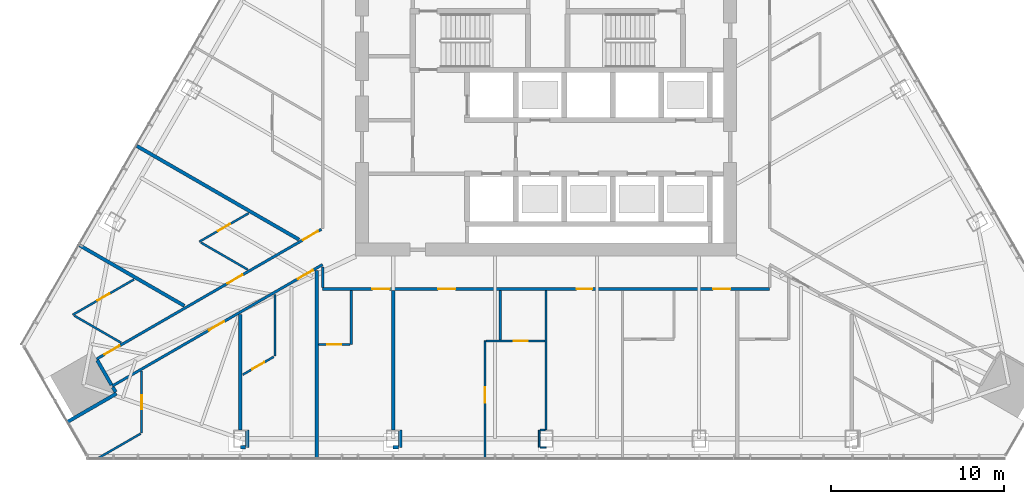
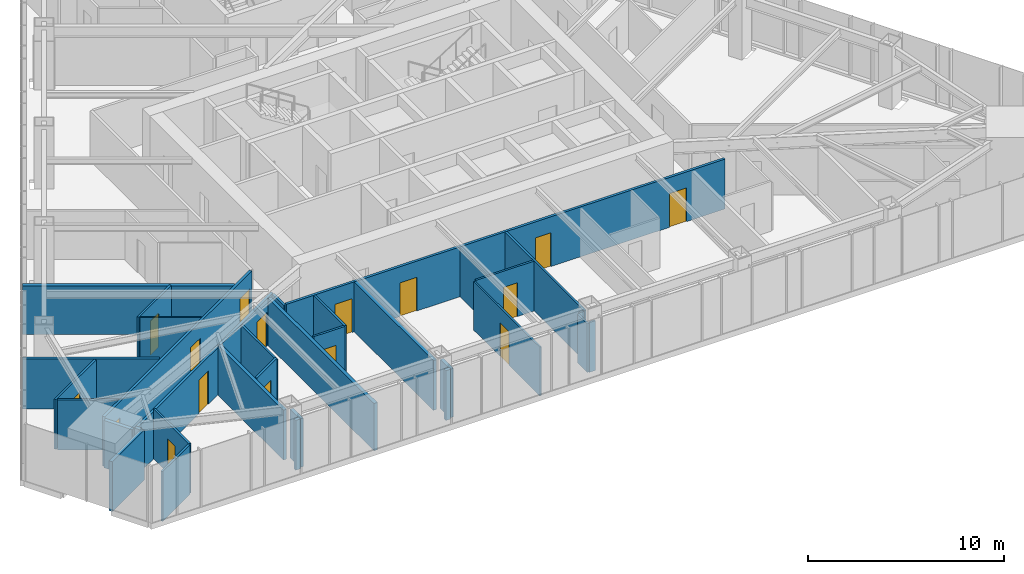
# One storey, part 13 of 19: 33 walls, 16 doors, 16 openings.
"""IFC4 building model written with IfcOpenShell, lengths in metres."""

from ifc_helpers import new_model, si_unit, direction, frame, frame_2d, origin, place, context, subcontext, project, spatial, rectangle, extrude, material, layer, layer_set, type_object, element, fill, save


model = new_model("IFC4")

# Units and contexts
model_context = context("Model", 3, precision=1e-05, world=origin(), true_north=direction((0.0, 1.0)))
body_context = subcontext(model_context, "Body", "Model", "MODEL_VIEW")
ifc_project = project(units=[si_unit("LENGTHUNIT", "METRE"), si_unit("AREAUNIT", "SQUARE_METRE"), si_unit("VOLUMEUNIT", "CUBIC_METRE"), si_unit("PLANEANGLEUNIT", "RADIAN"), si_unit("MASSUNIT", "GRAM", prefix="KILO")], contexts=[model_context])

# Site, building, storey
site_placement = place(None, origin())
site = spatial("IfcSite", under=ifc_project, at=site_placement, CompositionType="ELEMENT")
building_placement = place(site_placement, origin())
building = spatial("IfcBuilding", under=site, at=building_placement, Name="Firuza Gate Tower and Library", CompositionType="ELEMENT")
storey_placement = place(building_placement, frame((0.0, 0.0, 179.199951171875)))
storey = spatial("IfcBuildingStorey", under=building, at=storey_placement, Name="L41", CompositionType="ELEMENT", Elevation=179.199951171875)

# Wall, openings, doors
ifc_material_1 = material(Name="Gypsum board partition")
ifc_layer_1 = layer(ifc_material_1, 0.14990234375)
ifc_layer_set_1 = layer_set([ifc_layer_1], Name="Corridor wall 150 double board on steel studs")
wall_type_1 = type_object("IfcWallType", Name="Corridor wall 150 double board on steel studs", PredefinedType="PARTITIONING", material=ifc_layer_set_1)
wall_1_placement = place(storey_placement, frame((87.89990234375, 65.10009765625, 0.0), z_axis=(0.0, 0.0, 1.0), x_axis=(-1.0, 0.0, 0.0)))
wall_1 = element("IfcWall", 1, at=wall_1_placement, inside=storey, type_object=wall_type_1, Name="f:L41:w009", PredefinedType="PARTITIONING", context=body_context, shape_type="SweptSolid", body=[
    extrude(rectangle(XDim=25.7998046875, YDim=0.14990234375, at=frame_2d((12.89990234375, 0.0))), origin(), (0.0, 0.0, 1.0), 3.10009765625),
])
opening_1_placement = place(wall_1_placement, frame((2.26416015625, 0.0, 0.0)))
opening_1 = element("IfcOpeningElement", 2, at=opening_1_placement, cuts=wall_1, Name="Opening L41-05", PredefinedType="OPENING", context=body_context, shape_type="SweptSolid", body=[
    extrude(rectangle(XDim=1.0, YDim=2.10009765625, at=frame_2d((0.5, 1.050048828125))), frame((0.0, 0.0849609375, 0.0), z_axis=(0.0, -1.0, 0.0), x_axis=(1.0, 0.0, 0.0)), (0.0, 0.0, 1.0), 0.169921875),
])
opening_2_placement = place(wall_1_placement, frame((10.244140625, 0.0, 0.0)))
opening_2 = element("IfcOpeningElement", 3, at=opening_2_placement, cuts=wall_1, Name="Opening L41-06", PredefinedType="OPENING", context=body_context, shape_type="SweptSolid", body=[
    extrude(rectangle(XDim=0.89990234375, YDim=2.10009765625, at=frame_2d((0.449951171875, 1.050048828125))), frame((0.0, 0.0849609375, 0.0), z_axis=(0.0, -1.0, 0.0), x_axis=(1.0, 0.0, 0.0)), (0.0, 0.0, 1.0), 0.169921875),
])
opening_3_placement = place(wall_1_placement, frame((18.135498046875, 0.0, 0.0)))
opening_3 = element("IfcOpeningElement", 4, at=opening_3_placement, cuts=wall_1, Name="Opening L41-07", PredefinedType="OPENING", context=body_context, shape_type="SweptSolid", body=[
    extrude(rectangle(XDim=1.0, YDim=2.10009765625, at=frame_2d((0.5, 1.050048828125))), frame((0.0, 0.0849609375, 0.0), z_axis=(0.0, -1.0, 0.0), x_axis=(1.0, 0.0, 0.0)), (0.0, 0.0, 1.0), 0.169921875),
])
opening_4_placement = place(wall_1_placement, frame((21.935791015625, 0.0, 0.0)))
opening_4 = element("IfcOpeningElement", 5, at=opening_4_placement, cuts=wall_1, Name="Opening L41-08", PredefinedType="OPENING", context=body_context, shape_type="SweptSolid", body=[
    extrude(rectangle(XDim=1.0, YDim=2.10009765625, at=frame_2d((0.5, 1.050048828125))), frame((0.0, 0.0849609375, 0.0), z_axis=(0.0, -1.0, 0.0), x_axis=(1.0, 0.0, 0.0)), (0.0, 0.0, 1.0), 0.169921875),
])
ifc_material_2 = material(Name="Steel door and timber leaf", Category="steel")
door_type_1 = type_object("IfcDoorType", Name="Fire door 1000 x 2100 steel frame, timber leaf", OperationType="NOTDEFINED", PredefinedType="DOOR", material=ifc_material_2)
door_1_placement = place(opening_1_placement, origin())
door_1 = element("IfcDoor", 6, at=door_1_placement, inside=storey, type_object=door_type_1, Name="f:L41:d005", OperationType="SINGLE_SWING_RIGHT", OverallHeight=2.10009765625, OverallWidth=1.0, PredefinedType="DOOR", context=body_context, shape_type="SweptSolid", body=[
    extrude(rectangle(XDim=1.0, YDim=2.10009765625, at=frame_2d((0.5, 1.050048828125))), frame((0.0, 0.02490234375, 0.0), z_axis=(0.0, -1.0, 0.0), x_axis=(1.0, 0.0, 0.0)), (0.0, 0.0, 1.0), 0.050048828125),
])
fill(opening_1, door_1)
door_2_placement = place(opening_3_placement, origin())
door_2 = element("IfcDoor", 7, at=door_2_placement, inside=storey, type_object=door_type_1, Name="f:L41:d007", OperationType="SINGLE_SWING_RIGHT", OverallHeight=2.10009765625, OverallWidth=1.0, PredefinedType="DOOR", context=body_context, shape_type="SweptSolid", body=[
    extrude(rectangle(XDim=1.0, YDim=2.10009765625, at=frame_2d((0.5, 1.050048828125))), frame((0.0, 0.02490234375, 0.0), z_axis=(0.0, -1.0, 0.0), x_axis=(1.0, 0.0, 0.0)), (0.0, 0.0, 1.0), 0.050048828125),
])
fill(opening_3, door_2)
door_3_placement = place(opening_4_placement, origin())
door_3 = element("IfcDoor", 8, at=door_3_placement, inside=storey, type_object=door_type_1, Name="f:L41:d008", OperationType="SINGLE_SWING_RIGHT", OverallHeight=2.10009765625, OverallWidth=1.0, PredefinedType="DOOR", context=body_context, shape_type="SweptSolid", body=[
    extrude(rectangle(XDim=1.0, YDim=2.10009765625, at=frame_2d((0.5, 1.050048828125))), frame((0.0, 0.02490234375, 0.0), z_axis=(0.0, -1.0, 0.0), x_axis=(1.0, 0.0, 0.0)), (0.0, 0.0, 1.0), 0.050048828125),
])
fill(opening_4, door_3)
ifc_material_3 = material(Name="Steel door and timber leaf", Category="steel")
door_type_2 = type_object("IfcDoorType", Name="Fire door 900 x 2100 steel frame, timber leaf", OperationType="NOTDEFINED", PredefinedType="DOOR", material=ifc_material_3)
door_4_placement = place(opening_2_placement, origin())
door_4 = element("IfcDoor", 9, at=door_4_placement, inside=storey, type_object=door_type_2, Name="f:L41:d006", OperationType="SINGLE_SWING_LEFT", OverallHeight=2.10009765625, OverallWidth=0.89990234375, PredefinedType="DOOR", context=body_context, shape_type="SweptSolid", body=[
    extrude(rectangle(XDim=0.89990234375, YDim=2.10009765625, at=frame_2d((0.449951171875, 1.050048828125))), frame((0.0, 0.02490234375, 0.0), z_axis=(0.0, -1.0, 0.0), x_axis=(1.0, 0.0, 0.0)), (0.0, 0.0, 1.0), 0.050048828125),
])
fill(opening_2, door_4)

wall_2_placement = place(storey_placement, frame((62.099853515625, 66.512939453125, 0.0), z_axis=(0.0, 0.0, 1.0), x_axis=(-0.866025334814, -0.500000119461, 0.0)))
wall_2 = element("IfcWall", 10, at=wall_2_placement, inside=storey, type_object=wall_type_1, Name="f:L41:w025", PredefinedType="PARTITIONING", context=body_context, shape_type="SweptSolid", body=[
    extrude(rectangle(XDim=14.02978515625, YDim=0.14990234375, at=frame_2d((7.014892578125, 0.0))), origin(), (0.0, 0.0, 1.0), 2.947021484375),
])
opening_5_placement = place(wall_2_placement, frame((0.656005859375, 0.0, 0.0)))
opening_5 = element("IfcOpeningElement", 11, at=opening_5_placement, cuts=wall_2, Name="Opening L41-15", PredefinedType="OPENING", context=body_context, shape_type="SweptSolid", body=[
    extrude(rectangle(XDim=1.0, YDim=2.10009765625, at=frame_2d((0.5, 1.050048828125))), frame((0.0, 0.0849609375, 0.0), z_axis=(0.0, -1.0, 0.0), x_axis=(1.0, 0.0, 0.0)), (0.0, 0.0, 1.0), 0.169921875),
])
opening_6_placement = place(wall_2_placement, frame((6.581787109375, 0.0, 0.0)))
opening_6 = element("IfcOpeningElement", 12, at=opening_6_placement, cuts=wall_2, Name="Opening L41-16", PredefinedType="OPENING", context=body_context, shape_type="SweptSolid", body=[
    extrude(rectangle(XDim=1.0, YDim=2.10009765625, at=frame_2d((0.5, 1.050048828125))), frame((0.0, 0.0849609375, 0.0), z_axis=(0.0, -1.0, 0.0), x_axis=(1.0, 0.0, 0.0)), (0.0, 0.0, 1.0), 0.169921875),
])
door_5_placement = place(opening_5_placement, origin())
door_5 = element("IfcDoor", 13, at=door_5_placement, inside=storey, type_object=door_type_1, Name="f:L41:d015", OperationType="SINGLE_SWING_RIGHT", OverallHeight=2.10009765625, OverallWidth=1.0, PredefinedType="DOOR", context=body_context, shape_type="SweptSolid", body=[
    extrude(rectangle(XDim=1.0, YDim=2.10009765625, at=frame_2d((0.5, 1.050048828125))), frame((0.0, 0.02490234375, 0.0), z_axis=(0.0, -1.0, 0.0), x_axis=(1.0, 0.0, 0.0)), (0.0, 0.0, 1.0), 0.050048828125),
])
fill(opening_5, door_5)
door_6_placement = place(opening_6_placement, origin())
door_6 = element("IfcDoor", 14, at=door_6_placement, inside=storey, type_object=door_type_1, Name="f:L41:d016", OperationType="SINGLE_SWING_RIGHT", OverallHeight=2.10009765625, OverallWidth=1.0, PredefinedType="DOOR", context=body_context, shape_type="SweptSolid", body=[
    extrude(rectangle(XDim=1.0, YDim=2.10009765625, at=frame_2d((0.5, 1.050048828125))), frame((0.0, 0.02490234375, 0.0), z_axis=(0.0, -1.0, 0.0), x_axis=(1.0, 0.0, 0.0)), (0.0, 0.0, 1.0), 0.050048828125),
])
fill(opening_6, door_6)

wall_3_placement = place(storey_placement, frame((49.050048828125, 61.05712890625, 0.0), z_axis=(0.0, 0.0, 1.0), x_axis=(0.866027379905, 0.499996577244, 0.0)))
wall_3 = element("IfcWall", 15, at=wall_3_placement, inside=storey, type_object=wall_type_1, Name="f:L41:w028", PredefinedType="PARTITIONING", context=body_context, shape_type="SweptSolid", body=[
    extrude(rectangle(XDim=14.98193359375, YDim=0.14990234375, at=frame_2d((7.490966796875, 0.0))), origin(), (0.0, 0.0, 1.0), 3.10009765625),
])
opening_7_placement = place(wall_3_placement, frame((0.532470703125, 0.0, 0.0)))
opening_7 = element("IfcOpeningElement", 16, at=opening_7_placement, cuts=wall_3, Name="Opening L41-17", PredefinedType="OPENING", context=body_context, shape_type="SweptSolid", body=[
    extrude(rectangle(XDim=1.0, YDim=2.10009765625, at=frame_2d((0.5, 1.050048828125))), frame((0.0, 0.0849609375, 0.0), z_axis=(0.0, -1.0, 0.0), x_axis=(1.0, 0.0, 0.0)), (0.0, 0.0, 1.0), 0.169921875),
])
opening_8_placement = place(wall_3_placement, frame((8.724853515625, 0.0, 0.0)))
opening_8 = element("IfcOpeningElement", 17, at=opening_8_placement, cuts=wall_3, Name="Opening L41-18", PredefinedType="OPENING", context=body_context, shape_type="SweptSolid", body=[
    extrude(rectangle(XDim=1.0, YDim=2.10009765625, at=frame_2d((0.5, 1.050048828125))), frame((0.0, 0.0849609375, 0.0), z_axis=(0.0, -1.0, 0.0), x_axis=(1.0, 0.0, 0.0)), (0.0, 0.0, 1.0), 0.169921875),
])
opening_9_placement = place(wall_3_placement, frame((13.760498046875, 0.0, 0.0)))
opening_9 = element("IfcOpeningElement", 18, at=opening_9_placement, cuts=wall_3, Name="Opening L41-19", PredefinedType="OPENING", context=body_context, shape_type="SweptSolid", body=[
    extrude(rectangle(XDim=1.0, YDim=2.10009765625, at=frame_2d((0.5, 1.050048828125))), frame((0.0, 0.0849609375, 0.0), z_axis=(0.0, -1.0, 0.0), x_axis=(1.0, 0.0, 0.0)), (0.0, 0.0, 1.0), 0.169921875),
])
door_7_placement = place(opening_7_placement, origin())
door_7 = element("IfcDoor", 19, at=door_7_placement, inside=storey, type_object=door_type_1, Name="f:L41:d017", OperationType="SINGLE_SWING_LEFT", OverallHeight=2.10009765625, OverallWidth=1.0, PredefinedType="DOOR", context=body_context, shape_type="SweptSolid", body=[
    extrude(rectangle(XDim=1.0, YDim=2.10009765625, at=frame_2d((0.5, 1.050048828125))), frame((0.0, 0.02490234375, 0.0), z_axis=(0.0, -1.0, 0.0), x_axis=(1.0, 0.0, 0.0)), (0.0, 0.0, 1.0), 0.050048828125),
])
fill(opening_7, door_7)
door_8_placement = place(opening_8_placement, origin())
door_8 = element("IfcDoor", 20, at=door_8_placement, inside=storey, type_object=door_type_1, Name="f:L41:d018", OperationType="SINGLE_SWING_LEFT", OverallHeight=2.10009765625, OverallWidth=1.0, PredefinedType="DOOR", context=body_context, shape_type="SweptSolid", body=[
    extrude(rectangle(XDim=1.0, YDim=2.10009765625, at=frame_2d((0.5, 1.050048828125))), frame((0.0, 0.02490234375, 0.0), z_axis=(0.0, -1.0, 0.0), x_axis=(1.0, 0.0, 0.0)), (0.0, 0.0, 1.0), 0.050048828125),
])
fill(opening_8, door_8)
door_9_placement = place(opening_9_placement, origin())
door_9 = element("IfcDoor", 21, at=door_9_placement, inside=storey, type_object=door_type_1, Name="f:L41:d019", OperationType="SINGLE_SWING_LEFT", OverallHeight=2.10009765625, OverallWidth=1.0, PredefinedType="DOOR", context=body_context, shape_type="SweptSolid", body=[
    extrude(rectangle(XDim=1.0, YDim=2.10009765625, at=frame_2d((0.5, 1.050048828125))), frame((0.0, 0.02490234375, 0.0), z_axis=(0.0, -1.0, 0.0), x_axis=(1.0, 0.0, 0.0)), (0.0, 0.0, 1.0), 0.050048828125),
])
fill(opening_9, door_9)

# Walls
wall_4_placement = place(storey_placement, frame((62.10009765625, 65.175048828125, 0.0), z_axis=(0.0, 0.0, 1.0), x_axis=(0.0, 1.0, 0.0)))
element("IfcWall", 22, at=wall_4_placement, inside=storey, type_object=wall_type_1, Name="f:L41:w073", PredefinedType="PARTITIONING", context=body_context, shape_type="SweptSolid", body=[
    extrude(rectangle(XDim=1.201416015625, YDim=0.14990234375, at=frame_2d((0.6005859375, 0.0))), origin(), (0.0, 0.0, 1.0), 2.947021484375),
])
ifc_material_4 = material(Name="Gypsum board partition")
ifc_layer_2 = layer(ifc_material_4, 0.199951171875)
ifc_layer_set_2 = layer_set([ifc_layer_2], Name="Demising wall 200 acoustic double stud")
wall_type_2 = type_object("IfcWallType", Name="Demising wall 200 acoustic double stud", PredefinedType="PARTITIONING", material=ifc_layer_set_2)
for number, where, z_axis, x_axis, name in (
    (23, (57.352294921875, 55.9599609375, 0.0), (0.0, 0.0, 1.0), (1.0, 0.0, 0.0), "f:L41:w000"),
    (24, (66.176025390625, 55.9599609375, 0.0), (0.0, 0.0, 1.0), (1.0, 0.0, 0.0), "f:L41:w001"),
):
    element("IfcWall", number, at=place(storey_placement, frame(where, z_axis=z_axis, x_axis=x_axis)), inside=storey, type_object=wall_type_2, Name=name, PredefinedType="PARTITIONING", context=body_context, shape_type="SweptSolid", body=[
        extrude(rectangle(XDim=0.2900390625, YDim=0.199951171875, at=frame_2d((0.14501953125, 0.0))), origin(), (0.0, 0.0, 1.0), 3.10009765625),
    ])
wall_5_placement = place(storey_placement, frame((47.37646484375, 57.43505859375, 0.0), z_axis=(0.0, 0.0, 1.0), x_axis=(0.866035906198, 0.499981808845, 0.0)))
element("IfcWall", 25, at=wall_5_placement, inside=storey, type_object=wall_type_2, Name="f:L41:w024", PredefinedType="PARTITIONING", context=body_context, shape_type="SweptSolid", body=[
    extrude(rectangle(XDim=3.25927734375, YDim=0.199951171875, at=frame_2d((1.629638671875, 0.0))), origin(), (0.0, 0.0, 1.0), 3.10009765625),
])
wall_6_placement = place(storey_placement, frame((66.575927734375, 55.959716796875, 0.0), z_axis=(0.0, 0.0, 1.0), x_axis=(0.0, 1.0, 0.0)))
element("IfcWall", 26, at=wall_6_placement, inside=storey, type_object=wall_type_2, Name="f:L41:w069", PredefinedType="PARTITIONING", context=body_context, shape_type="SweptSolid", body=[
    extrude(rectangle(XDim=1.0, YDim=0.199951171875, at=frame_2d((0.5, 0.0))), origin(), (0.0, 0.0, 1.0), 3.02197265625),
])
wall_7_placement = place(storey_placement, frame((66.176025390625, 56.959716796875, 0.0), z_axis=(0.0, 0.0, 1.0), x_axis=(0.0, 1.0, 0.0)))
element("IfcWall", 27, at=wall_7_placement, inside=storey, type_object=wall_type_2, Name="f:L41:w071", PredefinedType="PARTITIONING", context=body_context, shape_type="SweptSolid", body=[
    extrude(rectangle(XDim=8.065185546875, YDim=0.199951171875, at=frame_2d((4.03271484375, 0.0))), origin(), (0.0, 0.0, 1.0), 3.10009765625),
])
wall_8_placement = place(storey_placement, frame((61.763916015625, 55.359619140625, 0.0), z_axis=(0.0, 0.0, 1.0), x_axis=(0.0, 1.0, 0.0)))
element("IfcWall", 28, at=wall_8_placement, inside=storey, type_object=wall_type_2, Name="f:L41:w075", PredefinedType="PARTITIONING", context=body_context, shape_type="SweptSolid", body=[
    extrude(rectangle(XDim=10.812744140625, YDim=0.199951171875, at=frame_2d((5.40625, 0.0))), origin(), (0.0, 0.0, 1.0), 2.947021484375),
])
wall_9_placement = place(storey_placement, frame((57.751953125, 55.959716796875, 0.0), z_axis=(0.0, 0.0, 1.0), x_axis=(0.0, 1.0, 0.0)))
element("IfcWall", 29, at=wall_9_placement, inside=storey, type_object=wall_type_2, Name="f:L41:w078", PredefinedType="PARTITIONING", context=body_context, shape_type="SweptSolid", body=[
    extrude(rectangle(XDim=1.0, YDim=0.199951171875, at=frame_2d((0.5, 0.0))), origin(), (0.0, 0.0, 1.0), 3.02197265625),
])
wall_10_placement = place(storey_placement, frame((57.35205078125, 56.959716796875, 0.0), z_axis=(0.0, 0.0, 1.0), x_axis=(0.0, 1.0, 0.0)))
element("IfcWall", 30, at=wall_10_placement, inside=storey, type_object=wall_type_2, Name="f:L41:w079", PredefinedType="PARTITIONING", context=body_context, shape_type="SweptSolid", body=[
    extrude(rectangle(XDim=6.66552734375, YDim=0.199951171875, at=frame_2d((3.332763671875, 0.0))), origin(), (0.0, 0.0, 1.0), 3.10009765625),
])
wall_11_placement = place(storey_placement, frame((50.149658203125, 59.152099609375, 0.0), z_axis=(0.0, 0.0, 1.0), x_axis=(-0.499939380126, 0.866060399857, 0.0)))
element("IfcWall", 31, at=wall_11_placement, inside=storey, type_object=wall_type_2, Name="f:L41:w082", PredefinedType="PARTITIONING", context=body_context, shape_type="SweptSolid", body=[
    extrude(rectangle(XDim=0.32470703125, YDim=0.199951171875, at=frame_2d((0.162353515625, 0.0))), origin(), (0.0, 0.0, 1.0), 3.10009765625),
])
wall_12_placement = place(storey_placement, frame((60.7373046875, 67.951171875, 0.0), z_axis=(0.0, 0.0, 1.0), x_axis=(-0.866033683985, 0.499985657998, 0.0)))
element("IfcWall", 32, at=wall_12_placement, inside=storey, type_object=wall_type_2, Name="f:L41:w096", PredefinedType="PARTITIONING", context=body_context, shape_type="SweptSolid", body=[
    extrude(rectangle(XDim=10.812744140625, YDim=0.199951171875, at=frame_2d((5.40625, 0.0))), origin(), (0.0, 0.0, 1.0), 3.02197265625),
])
wall_13_placement = place(storey_placement, frame((54.119140625, 64.130126953125, 0.0), z_axis=(0.0, 0.0, 1.0), x_axis=(-0.866016957496, 0.500014629116, 0.0)))
element("IfcWall", 33, at=wall_13_placement, inside=storey, type_object=wall_type_2, Name="f:L41:w098", PredefinedType="PARTITIONING", context=body_context, shape_type="SweptSolid", body=[
    extrude(rectangle(XDim=6.991943359375, YDim=0.199951171875, at=frame_2d((3.49609375, 0.0))), origin(), (0.0, 0.0, 1.0), 3.10009765625),
])
wall_14_placement = place(storey_placement, frame((49.912353515625, 59.563232421875, 0.0), z_axis=(0.0, 0.0, 1.0), x_axis=(-0.500055614084, 0.865993292597, 0.0)))
element("IfcWall", 34, at=wall_14_placement, inside=storey, type_object=wall_type_2, Name="f:L41:w103", PredefinedType="PARTITIONING", context=body_context, shape_type="SweptSolid", body=[
    extrude(rectangle(XDim=1.649169921875, YDim=0.199951171875, at=frame_2d((0.82470703125, 0.0))), origin(), (0.0, 0.0, 1.0), 2.947021484375),
])
ifc_material_5 = material(Name="Gypsum board partition")
ifc_layer_3 = layer(ifc_material_5, 0.10009765625)
ifc_layer_set_3 = layer_set([ifc_layer_3], Name="Partition 100 gypsum board on steel studs")
wall_type_3 = type_object("IfcWallType", Name="Partition 100 gypsum board on steel studs", PredefinedType="PARTITIONING", material=ifc_layer_set_3)
wall_15_placement = place(storey_placement, frame((74.650390625, 55.9599609375, 0.0), z_axis=(0.0, 0.0, 1.0), x_axis=(1.0, 0.0, 0.0)))
element("IfcWall", 35, at=wall_15_placement, inside=storey, type_object=wall_type_3, Name="f:L41:w002", PredefinedType="PARTITIONING", context=body_context, shape_type="SweptSolid", body=[
    extrude(rectangle(XDim=0.34912109375, YDim=0.10009765625, at=frame_2d((0.174560546875, 0.0))), origin(), (0.0, 0.0, 1.0), 3.10009765625),
])
wall_16_placement = place(storey_placement, frame((74.650390625, 56.9599609375, 0.0), z_axis=(0.0, 0.0, 1.0), x_axis=(1.0, 0.0, 0.0)))
element("IfcWall", 36, at=wall_16_placement, inside=storey, type_object=wall_type_3, Name="f:L41:w004", PredefinedType="PARTITIONING", context=body_context, shape_type="SweptSolid", body=[
    extrude(rectangle(XDim=0.2890625, YDim=0.10009765625, at=frame_2d((0.14453125, 0.0))), origin(), (0.0, 0.0, 1.0), 3.10009765625),
])
wall_17_placement = place(storey_placement, frame((74.60009765625, 55.960205078125, 0.0), z_axis=(0.0, 0.0, 1.0), x_axis=(0.0, 1.0, 0.0)))
element("IfcWall", 37, at=wall_17_placement, inside=storey, type_object=wall_type_3, Name="f:L41:w060", PredefinedType="PARTITIONING", context=body_context, shape_type="SweptSolid", body=[
    extrude(rectangle(XDim=0.9990234375, YDim=0.10009765625, at=frame_2d((0.49951171875, 0.0))), origin(), (0.0, 0.0, 1.0), 3.02197265625),
])

# Wall, opening, door
wall_18_placement = place(storey_placement, frame((71.469970703125, 62.10009765625, 0.0), z_axis=(0.0, 0.0, 1.0), x_axis=(0.0, -1.0, 0.0)))
wall_18 = element("IfcWall", 38, at=wall_18_placement, inside=storey, type_object=wall_type_3, Name="f:L41:w065", PredefinedType="PARTITIONING", context=body_context, shape_type="SweptSolid", body=[
    extrude(rectangle(XDim=6.740478515625, YDim=0.10009765625, at=frame_2d((3.3701171875, 0.0))), origin(), (0.0, 0.0, 1.0), 3.02197265625),
])
opening_10_placement = place(wall_18_placement, frame((2.670166015625, 0.0, 0.0)))
opening_10 = element("IfcOpeningElement", 39, at=opening_10_placement, cuts=wall_18, Name="Opening L41-32", PredefinedType="OPENING", context=body_context, shape_type="SweptSolid", body=[
    extrude(rectangle(XDim=0.89990234375, YDim=2.10009765625, at=frame_2d((0.449951171875, 1.050048828125))), frame((0.0, 0.06005859375, 0.0), z_axis=(0.0, -1.0, 0.0), x_axis=(1.0, 0.0, 0.0)), (0.0, 0.0, 1.0), 0.1201171875),
])
ifc_material_6 = material(Name="Timber door", Category="wood")
door_type_3 = type_object("IfcDoorType", Name="Door 900 x 2100 timber leaf", OperationType="NOTDEFINED", PredefinedType="DOOR", material=ifc_material_6)
door_10_placement = place(opening_10_placement, origin())
door_10 = element("IfcDoor", 40, at=door_10_placement, inside=storey, type_object=door_type_3, Name="f:L41:d032", OperationType="SINGLE_SWING_LEFT", OverallHeight=2.10009765625, OverallWidth=0.89990234375, PredefinedType="DOOR", context=body_context, shape_type="SweptSolid", body=[
    extrude(rectangle(XDim=0.89990234375, YDim=2.10009765625, at=frame_2d((0.449951171875, 1.050048828125))), frame((0.0, 0.02490234375, 0.0), z_axis=(0.0, -1.0, 0.0), x_axis=(1.0, 0.0, 0.0)), (0.0, 0.0, 1.0), 0.050048828125),
])
fill(opening_10, door_10)

ifc_material_7 = material(Name="Gypsum board partition")
ifc_layer_4 = layer(ifc_material_7, 0.1201171875)
ifc_layer_set_4 = layer_set([ifc_layer_4], Name="Wet-area partition 120 moisture-resistant board")
wall_type_4 = type_object("IfcWallType", Name="Wet-area partition 120 moisture-resistant board", PredefinedType="PARTITIONING", material=ifc_layer_set_4)
wall_19_placement = place(storey_placement, frame((61.8642578125, 61.89990234375, 0.0), z_axis=(0.0, 0.0, 1.0), x_axis=(1.0, 0.0, 0.0)))
wall_19 = element("IfcWall", 41, at=wall_19_placement, inside=storey, type_object=wall_type_4, Name="f:L41:w005", PredefinedType="PARTITIONING", context=body_context, shape_type="SweptSolid", body=[
    extrude(rectangle(XDim=1.825439453125, YDim=0.1201171875, at=frame_2d((0.91259765625, 0.0))), origin(), (0.0, 0.0, 1.0), 3.10009765625),
])
opening_11_placement = place(wall_19_placement, frame((0.5126953125, 0.0, 0.0)))
opening_11 = element("IfcOpeningElement", 42, at=opening_11_placement, cuts=wall_19, Name="Opening L41-01", PredefinedType="OPENING", context=body_context, shape_type="SweptSolid", body=[
    extrude(rectangle(XDim=0.800048828125, YDim=2.10009765625, at=frame_2d((0.39990234375, 1.050048828125))), frame((0.0, 0.070068359375, 0.0), z_axis=(0.0, -1.0, 0.0), x_axis=(1.0, 0.0, 0.0)), (0.0, 0.0, 1.0), 0.14013671875),
])
ifc_material_8 = material(Name="Timber door", Category="wood")
door_type_4 = type_object("IfcDoorType", Name="Door 800 x 2100 timber leaf", OperationType="NOTDEFINED", PredefinedType="DOOR", material=ifc_material_8)
door_11_placement = place(opening_11_placement, origin())
door_11 = element("IfcDoor", 43, at=door_11_placement, inside=storey, type_object=door_type_4, Name="f:L41:d001", OperationType="SINGLE_SWING_RIGHT", OverallHeight=2.10009765625, OverallWidth=0.800048828125, PredefinedType="DOOR", context=body_context, shape_type="SweptSolid", body=[
    extrude(rectangle(XDim=0.800048828125, YDim=2.10009765625, at=frame_2d((0.39990234375, 1.050048828125))), frame((0.0, 0.02490234375, 0.0), z_axis=(0.0, -1.0, 0.0), x_axis=(1.0, 0.0, 0.0)), (0.0, 0.0, 1.0), 0.050048828125),
])
fill(opening_11, door_11)

wall_20_placement = place(storey_placement, frame((71.5205078125, 62.10009765625, 0.0), z_axis=(0.0, 0.0, 1.0), x_axis=(1.0, 0.0, 0.0)))
wall_20 = element("IfcWall", 44, at=wall_20_placement, inside=storey, type_object=wall_type_4, Name="f:L41:w006", PredefinedType="PARTITIONING", context=body_context, shape_type="SweptSolid", body=[
    extrude(rectangle(XDim=3.41943359375, YDim=0.1201171875, at=frame_2d((1.709716796875, 0.0))), origin(), (0.0, 0.0, 1.0), 3.10009765625),
])
opening_12_placement = place(wall_20_placement, frame((1.6259765625, 0.0, 0.0)))
opening_12 = element("IfcOpeningElement", 45, at=opening_12_placement, cuts=wall_20, Name="Opening L41-02", PredefinedType="OPENING", context=body_context, shape_type="SweptSolid", body=[
    extrude(rectangle(XDim=0.800048828125, YDim=2.10009765625, at=frame_2d((0.39990234375, 1.050048828125))), frame((0.0, 0.070068359375, 0.0), z_axis=(0.0, -1.0, 0.0), x_axis=(1.0, 0.0, 0.0)), (0.0, 0.0, 1.0), 0.14013671875),
])
door_12_placement = place(opening_12_placement, origin())
door_12 = element("IfcDoor", 46, at=door_12_placement, inside=storey, type_object=door_type_4, Name="f:L41:d002", OperationType="SINGLE_SWING_LEFT", OverallHeight=2.10009765625, OverallWidth=0.800048828125, PredefinedType="DOOR", context=body_context, shape_type="SweptSolid", body=[
    extrude(rectangle(XDim=0.800048828125, YDim=2.10009765625, at=frame_2d((0.39990234375, 1.050048828125))), frame((0.0, 0.02490234375, 0.0), z_axis=(0.0, -1.0, 0.0), x_axis=(1.0, 0.0, 0.0)), (0.0, 0.0, 1.0), 0.050048828125),
])
fill(opening_12, door_12)

# Wall
wall_21_placement = place(storey_placement, frame((49.181884765625, 55.359619140625, 0.0), z_axis=(0.0, 0.0, 1.0), x_axis=(0.86601027972, 0.500026194733, 0.0)))
element("IfcWall", 47, at=wall_21_placement, inside=storey, type_object=wall_type_4, Name="f:L41:w021", PredefinedType="PARTITIONING", context=body_context, shape_type="SweptSolid", body=[
    extrude(rectangle(XDim=2.782958984375, YDim=0.1201171875, at=frame_2d((1.3916015625, 0.0))), origin(), (0.0, 0.0, 1.0), 3.10009765625),
])

# Wall, opening, door
wall_22_placement = place(storey_placement, frame((57.48681640625, 60.154541015625, 0.0), z_axis=(0.0, 0.0, 1.0), x_axis=(0.866018462269, 0.500012022864, 0.0)))
wall_22 = element("IfcWall", 48, at=wall_22_placement, inside=storey, type_object=wall_type_4, Name="f:L41:w022", PredefinedType="PARTITIONING", context=body_context, shape_type="SweptSolid", body=[
    extrude(rectangle(XDim=2.06787109375, YDim=0.1201171875, at=frame_2d((1.033935546875, 0.0))), origin(), (0.0, 0.0, 1.0), 3.10009765625),
])
opening_13_placement = place(wall_22_placement, frame((0.6337890625, 0.0, 0.0)))
opening_13 = element("IfcOpeningElement", 49, at=opening_13_placement, cuts=wall_22, Name="Opening L41-13", PredefinedType="OPENING", context=body_context, shape_type="SweptSolid", body=[
    extrude(rectangle(XDim=0.800048828125, YDim=2.10009765625, at=frame_2d((0.39990234375, 1.050048828125))), frame((0.0, 0.070068359375, 0.0), z_axis=(0.0, -1.0, 0.0), x_axis=(1.0, 0.0, 0.0)), (0.0, 0.0, 1.0), 0.14013671875),
])
door_13_placement = place(opening_13_placement, origin())
door_13 = element("IfcDoor", 50, at=door_13_placement, inside=storey, type_object=door_type_4, Name="f:L41:d013", OperationType="SINGLE_SWING_RIGHT", OverallHeight=2.10009765625, OverallWidth=0.800048828125, PredefinedType="DOOR", context=body_context, shape_type="SweptSolid", body=[
    extrude(rectangle(XDim=0.800048828125, YDim=2.10009765625, at=frame_2d((0.39990234375, 1.050048828125))), frame((0.0, 0.02490234375, 0.0), z_axis=(0.0, -1.0, 0.0), x_axis=(1.0, 0.0, 0.0)), (0.0, 0.0, 1.0), 0.050048828125),
])
fill(opening_13, door_13)

wall_23_placement = place(storey_placement, frame((51.211669921875, 65.65380859375, 0.0), z_axis=(0.0, 0.0, 1.0), x_axis=(-0.866038243659, -0.499977760025, 0.0)))
wall_23 = element("IfcWall", 51, at=wall_23_placement, inside=storey, type_object=wall_type_4, Name="f:L41:w030", PredefinedType="PARTITIONING", context=body_context, shape_type="SweptSolid", body=[
    extrude(rectangle(XDim=4.083740234375, YDim=0.1201171875, at=frame_2d((2.0419921875, 0.0))), origin(), (0.0, 0.0, 1.0), 3.10009765625),
])
opening_14_placement = place(wall_23_placement, frame((1.641845703125, 0.0, 0.0)))
opening_14 = element("IfcOpeningElement", 52, at=opening_14_placement, cuts=wall_23, Name="Opening L41-20", PredefinedType="OPENING", context=body_context, shape_type="SweptSolid", body=[
    extrude(rectangle(XDim=0.800048828125, YDim=2.10009765625, at=frame_2d((0.39990234375, 1.050048828125))), frame((0.0, 0.070068359375, 0.0), z_axis=(0.0, -1.0, 0.0), x_axis=(1.0, 0.0, 0.0)), (0.0, 0.0, 1.0), 0.14013671875),
])
door_14_placement = place(opening_14_placement, origin())
door_14 = element("IfcDoor", 53, at=door_14_placement, inside=storey, type_object=door_type_4, Name="f:L41:d020", OperationType="SINGLE_SWING_LEFT", OverallHeight=2.10009765625, OverallWidth=0.800048828125, PredefinedType="DOOR", context=body_context, shape_type="SweptSolid", body=[
    extrude(rectangle(XDim=0.800048828125, YDim=2.10009765625, at=frame_2d((0.39990234375, 1.050048828125))), frame((0.0, 0.02490234375, 0.0), z_axis=(0.0, -1.0, 0.0), x_axis=(1.0, 0.0, 0.0)), (0.0, 0.0, 1.0), 0.050048828125),
])
fill(opening_14, door_14)

wall_24_placement = place(storey_placement, frame((57.82958984375, 69.474609375, 0.0), z_axis=(0.0, 0.0, 1.0), x_axis=(-0.866038236991, -0.499977771575, 0.0)))
wall_24 = element("IfcWall", 54, at=wall_24_placement, inside=storey, type_object=wall_type_4, Name="f:L41:w031", PredefinedType="PARTITIONING", context=body_context, shape_type="SweptSolid", body=[
    extrude(rectangle(XDim=3.283447265625, YDim=0.1201171875, at=frame_2d((1.6416015625, 0.0))), origin(), (0.0, 0.0, 1.0), 3.10009765625),
])
opening_15_placement = place(wall_24_placement, frame((1.24169921875, 0.0, 0.0)))
opening_15 = element("IfcOpeningElement", 55, at=opening_15_placement, cuts=wall_24, Name="Opening L41-21", PredefinedType="OPENING", context=body_context, shape_type="SweptSolid", body=[
    extrude(rectangle(XDim=0.800048828125, YDim=2.10009765625, at=frame_2d((0.39990234375, 1.050048828125))), frame((0.0, 0.070068359375, 0.0), z_axis=(0.0, -1.0, 0.0), x_axis=(1.0, 0.0, 0.0)), (0.0, 0.0, 1.0), 0.14013671875),
])
door_15_placement = place(opening_15_placement, origin())
door_15 = element("IfcDoor", 56, at=door_15_placement, inside=storey, type_object=door_type_4, Name="f:L41:d021", OperationType="SINGLE_SWING_LEFT", OverallHeight=2.10009765625, OverallWidth=0.800048828125, PredefinedType="DOOR", context=body_context, shape_type="SweptSolid", body=[
    extrude(rectangle(XDim=0.800048828125, YDim=2.10009765625, at=frame_2d((0.39990234375, 1.050048828125))), frame((0.0, 0.02490234375, 0.0), z_axis=(0.0, -1.0, 0.0), x_axis=(1.0, 0.0, 0.0)), (0.0, 0.0, 1.0), 0.050048828125),
])
fill(opening_15, door_15)

# Walls
wall_25_placement = place(storey_placement, frame((75.0, 56.960205078125, 0.0), z_axis=(0.0, 0.0, 1.0), x_axis=(0.0, 1.0, 0.0)))
element("IfcWall", 57, at=wall_25_placement, inside=storey, type_object=wall_type_4, Name="f:L41:w059", PredefinedType="PARTITIONING", context=body_context, shape_type="SweptSolid", body=[
    extrude(rectangle(XDim=8.064697265625, YDim=0.1201171875, at=frame_2d((4.0322265625, 0.0))), origin(), (0.0, 0.0, 1.0), 3.10009765625),
])
wall_26_placement = place(storey_placement, frame((72.35302734375, 62.159912109375, 0.0), z_axis=(0.0, 0.0, 1.0), x_axis=(0.0, 1.0, 0.0)))
element("IfcWall", 58, at=wall_26_placement, inside=storey, type_object=wall_type_4, Name="f:L41:w063", PredefinedType="PARTITIONING", context=body_context, shape_type="SweptSolid", body=[
    extrude(rectangle(XDim=2.864990234375, YDim=0.1201171875, at=frame_2d((1.4326171875, 0.0))), origin(), (0.0, 0.0, 1.0), 3.10009765625),
])
wall_27_placement = place(storey_placement, frame((63.75, 61.89990234375, 0.0), z_axis=(0.0, 0.0, 1.0), x_axis=(0.0, 1.0, 0.0)))
element("IfcWall", 59, at=wall_27_placement, inside=storey, type_object=wall_type_4, Name="f:L41:w072", PredefinedType="PARTITIONING", context=body_context, shape_type="SweptSolid", body=[
    extrude(rectangle(XDim=3.125, YDim=0.1201171875, at=frame_2d((1.5625, 0.0))), origin(), (0.0, 0.0, 1.0), 3.10009765625),
])
wall_28_placement = place(storey_placement, frame((59.337890625, 61.22314453125, 0.0), z_axis=(0.0, 0.0, 1.0), x_axis=(0.0, 1.0, 0.0)))
element("IfcWall", 60, at=wall_28_placement, inside=storey, type_object=wall_type_4, Name="f:L41:w076", PredefinedType="PARTITIONING", context=body_context, shape_type="SweptSolid", body=[
    extrude(rectangle(XDim=3.568359375, YDim=0.1201171875, at=frame_2d((1.7841796875, 0.0))), origin(), (0.0, 0.0, 1.0), 2.947021484375),
])

# Wall, opening, door
wall_29_placement = place(storey_placement, frame((51.652099609375, 56.785888671875, 0.0), z_axis=(0.0, 0.0, 1.0), x_axis=(0.0, 1.0, 0.0)))
wall_29 = element("IfcWall", 61, at=wall_29_placement, inside=storey, type_object=wall_type_4, Name="f:L41:w080", PredefinedType="PARTITIONING", context=body_context, shape_type="SweptSolid", body=[
    extrude(rectangle(XDim=3.568359375, YDim=0.1201171875, at=frame_2d((1.7841796875, 0.0))), origin(), (0.0, 0.0, 1.0), 3.10009765625),
])
opening_16_placement = place(wall_29_placement, frame((1.38427734375, 0.0, 0.0)))
opening_16 = element("IfcOpeningElement", 62, at=opening_16_placement, cuts=wall_29, Name="Opening L41-37", PredefinedType="OPENING", context=body_context, shape_type="SweptSolid", body=[
    extrude(rectangle(XDim=0.800048828125, YDim=2.10009765625, at=frame_2d((0.39990234375, 1.050048828125))), frame((0.0, 0.070068359375, 0.0), z_axis=(0.0, -1.0, 0.0), x_axis=(1.0, 0.0, 0.0)), (0.0, 0.0, 1.0), 0.14013671875),
])
door_16_placement = place(opening_16_placement, origin())
door_16 = element("IfcDoor", 63, at=door_16_placement, inside=storey, type_object=door_type_4, Name="f:L41:d037", OperationType="SINGLE_SWING_RIGHT", OverallHeight=2.10009765625, OverallWidth=0.800048828125, PredefinedType="DOOR", context=body_context, shape_type="SweptSolid", body=[
    extrude(rectangle(XDim=0.800048828125, YDim=2.10009765625, at=frame_2d((0.39990234375, 1.050048828125))), frame((0.0, 0.02490234375, 0.0), z_axis=(0.0, -1.0, 0.0), x_axis=(1.0, 0.0, 0.0)), (0.0, 0.0, 1.0), 0.050048828125),
])
fill(opening_16, door_16)

# Walls
wall_30_placement = place(storey_placement, frame((57.7763671875, 66.2216796875, 0.0), z_axis=(0.0, 0.0, 1.0), x_axis=(-0.866009247561, 0.500027982357, 0.0)))
element("IfcWall", 64, at=wall_30_placement, inside=storey, type_object=wall_type_4, Name="f:L41:w097", PredefinedType="PARTITIONING", context=body_context, shape_type="SweptSolid", body=[
    extrude(rectangle(XDim=3.112548828125, YDim=0.1201171875, at=frame_2d((1.55615234375, 0.0))), origin(), (0.0, 0.0, 1.0), 3.10009765625),
])
wall_31_placement = place(storey_placement, frame((50.465576171875, 62.000732421875, 0.0), z_axis=(0.0, 0.0, 1.0), x_axis=(-0.866028856698, 0.499994019331, 0.0)))
element("IfcWall", 65, at=wall_31_placement, inside=storey, type_object=wall_type_4, Name="f:L41:w099", PredefinedType="PARTITIONING", context=body_context, shape_type="SweptSolid", body=[
    extrude(rectangle(XDim=3.11279296875, YDim=0.1201171875, at=frame_2d((1.556396484375, 0.0))), origin(), (0.0, 0.0, 1.0), 3.10009765625),
])

save(model, "model.ifc")
